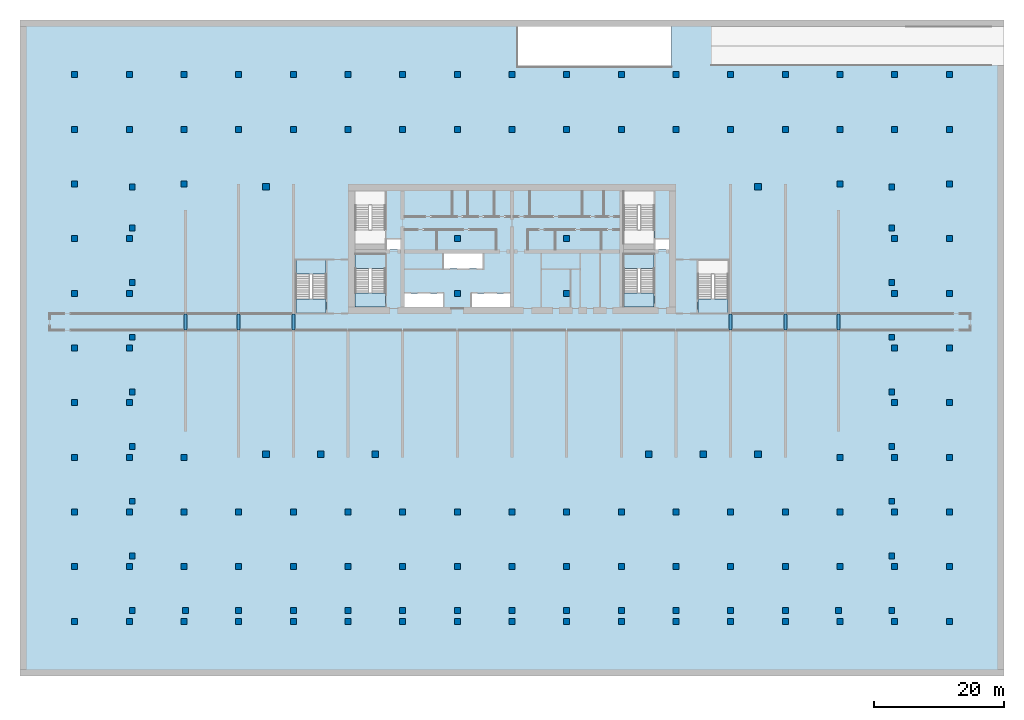
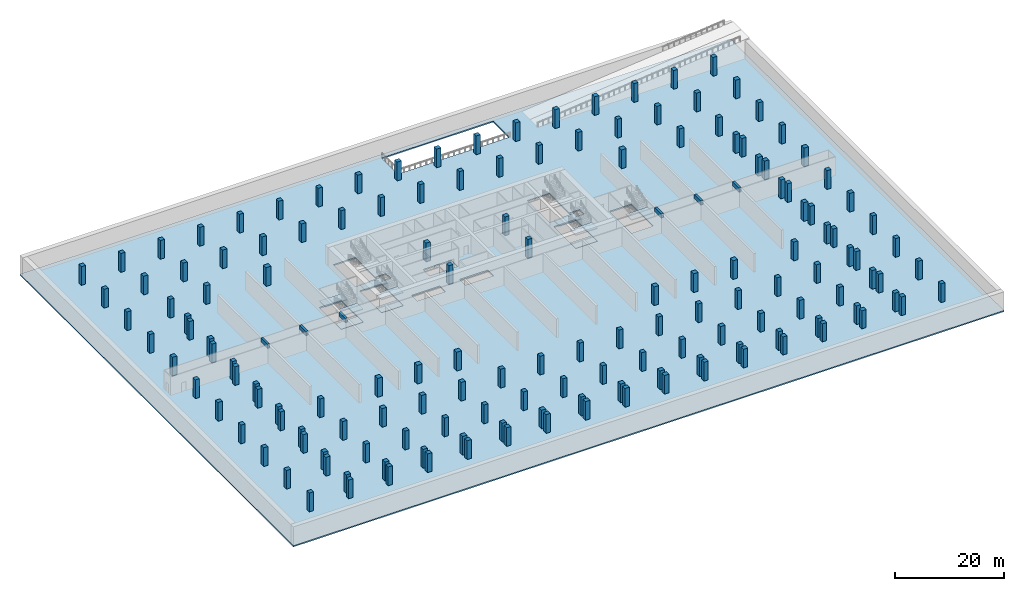
# One storey, part 1 of 12: 154 columns, 11 slabs, 6 beams, 4 elements without a shape of their own.
"""IFC4 building model written with IfcOpenShell, lengths in metres."""

from ifc_helpers import new_model, si_unit, direction, frame, origin, origin_2d, place, context, subcontext, project, spatial, polyline, rectangle, outline, extrude, source, transform, mapped, material, layer, layer_set, material_profile, profile_set, type_object, element, aggregate, save


model = new_model("IFC4")

# Units and contexts
model_context = context("Model", 3, precision=1e-05, world=origin(), true_north=direction((0.0, 1.0)))
body_context = subcontext(model_context, "Body", "Model", "MODEL_VIEW")
ifc_project = project(units=[si_unit("LENGTHUNIT", "METRE"), si_unit("AREAUNIT", "SQUARE_METRE"), si_unit("VOLUMEUNIT", "CUBIC_METRE"), si_unit("PLANEANGLEUNIT", "RADIAN"), si_unit("MASSUNIT", "GRAM", prefix="KILO")], contexts=[model_context])

# Site, building, storey
site_placement = place(None, origin())
site = spatial("IfcSite", under=ifc_project, at=site_placement, CompositionType="ELEMENT")
building_placement = place(site_placement, origin())
building = spatial("IfcBuilding", under=site, at=building_placement, Name="Vanashikhar Sky Hotel", CompositionType="ELEMENT")
storey_placement = place(building_placement, frame((0.0, 0.0, -4.5)))
storey = spatial("IfcBuildingStorey", under=building, at=storey_placement, Name="B1", CompositionType="ELEMENT", Elevation=-4.5)

# Columns
ifc_material_1 = material(Name="Concrete M70", Category="concrete")
ifc_material_profile_1 = material_profile(ifc_material_1, rectangle(XDim=1.0, YDim=1.0, at=origin_2d()))
ifc_profile_set_1 = profile_set([ifc_material_profile_1], Name="RC 1000x1000 column Concrete M70")
column_type_1 = type_object("IfcColumnType", Name="RC 1000x1000 column Concrete M70", PredefinedType="COLUMN", material=ifc_profile_set_1)
shared_shape_1 = source(origin(), body_context, "Body", "SweptSolid", [
    extrude(rectangle(XDim=1.0, YDim=1.0, at=origin_2d()), origin(), (0.0, 0.0, 1.0), 4.219970703125),
])
for number, where, z_axis, x_axis, name in (
    (1, (12.60009765625, 0.449951171875, 0.0), (0.0, 0.0, 1.0), (1.0, 0.0, 0.0), "CL-B1-CF02"),
    (2, (21.0, 0.449951171875, 0.0), (0.0, 0.0, 1.0), (1.0, 0.0, 0.0), "CL-B1-CF03"),
    (3, (29.39990234375, 0.449951171875, 0.0), (0.0, 0.0, 1.0), (1.0, 0.0, 0.0), "CL-B1-CF04"),
    (4, (71.39990234375, 0.449951171875, 0.0), (0.0, 0.0, 1.0), (1.0, 0.0, 0.0), "CL-B1-CF09"),
    (5, (79.800048828125, 0.449951171875, 0.0), (0.0, 0.0, 1.0), (1.0, 0.0, 0.0), "CL-B1-CF10"),
    (6, (88.199951171875, 0.449951171875, 0.0), (0.0, 0.0, 1.0), (1.0, 0.0, 0.0), "CL-B1-CF11"),
    (7, (12.60009765625, 41.550048828125, 0.0), (0.0, 0.0, 1.0), (1.0, 0.0, 0.0), "CL-B1-CR02"),
    (8, (88.199951171875, 41.550048828125, 0.0), (0.0, 0.0, 1.0), (1.0, 0.0, 0.0), "CL-B1-CR11"),
):
    element("IfcColumn", number, at=place(storey_placement, frame(where, z_axis=z_axis, x_axis=x_axis)), inside=storey, type_object=column_type_1, Name=name, PredefinedType="COLUMN", context=body_context, shape_type="MappedRepresentation", body=[
        mapped(shared_shape_1, transform((0.0, 0.0, 0.0), scale=1.0)),
    ])
ifc_material_profile_2 = material_profile(ifc_material_1, rectangle(XDim=0.89990234375, YDim=0.89990234375, at=origin_2d()))
ifc_profile_set_2 = profile_set([ifc_material_profile_2], Name="RC 900x900 column Concrete M70")
column_type_2 = type_object("IfcColumnType", Name="RC 900x900 column Concrete M70", PredefinedType="COLUMN", material=ifc_profile_set_2)
shared_shape_2 = source(origin(), body_context, "Body", "SweptSolid", [
    extrude(rectangle(XDim=0.89990234375, YDim=0.89990234375, at=origin_2d()), origin(), (0.0, 0.0, 1.0), 4.219970703125),
])
for number, where, z_axis, x_axis, name in (
    (9, (-7.949951171875, -23.550048828125, 0.0), (0.0, 0.0, 1.0), (1.0, 0.0, 0.0), "CL-B1-CAW01"),
    (10, (108.75, -23.550048828125, 0.0), (0.0, 0.0, 1.0), (1.0, 0.0, 0.0), "CL-B1-CAE01"),
    (11, (-7.949951171875, -15.14990234375, 0.0), (0.0, 0.0, 1.0), (1.0, 0.0, 0.0), "CL-B1-CAW02"),
    (12, (108.75, -15.14990234375, 0.0), (0.0, 0.0, 1.0), (1.0, 0.0, 0.0), "CL-B1-CAE02"),
    (13, (-7.949951171875, -6.75, 0.0), (0.0, 0.0, 1.0), (1.0, 0.0, 0.0), "CL-B1-CAW03"),
    (14, (108.75, -6.75, 0.0), (0.0, 0.0, 1.0), (1.0, 0.0, 0.0), "CL-B1-CAE03"),
    (15, (-7.949951171875, 1.64990234375, 0.0), (0.0, 0.0, 1.0), (1.0, 0.0, 0.0), "CL-B1-CAW04"),
    (16, (108.75, 1.64990234375, 0.0), (0.0, 0.0, 1.0), (1.0, 0.0, 0.0), "CL-B1-CAE04"),
    (17, (-7.949951171875, 10.050048828125, 0.0), (0.0, 0.0, 1.0), (1.0, 0.0, 0.0), "CL-B1-CAW05"),
    (18, (108.75, 10.050048828125, 0.0), (0.0, 0.0, 1.0), (1.0, 0.0, 0.0), "CL-B1-CAE05"),
    (19, (-7.949951171875, 18.449951171875, 0.0), (0.0, 0.0, 1.0), (1.0, 0.0, 0.0), "CL-B1-CAW06"),
    (20, (108.75, 18.449951171875, 0.0), (0.0, 0.0, 1.0), (1.0, 0.0, 0.0), "CL-B1-CAE06"),
    (21, (-7.949951171875, 26.85009765625, 0.0), (0.0, 0.0, 1.0), (1.0, 0.0, 0.0), "CL-B1-CAW07"),
    (22, (108.75, 26.85009765625, 0.0), (0.0, 0.0, 1.0), (1.0, 0.0, 0.0), "CL-B1-CAE07"),
    (23, (-7.949951171875, 35.25, 0.0), (0.0, 0.0, 1.0), (1.0, 0.0, 0.0), "CL-B1-CAW08"),
    (24, (108.75, 35.25, 0.0), (0.0, 0.0, 1.0), (1.0, 0.0, 0.0), "CL-B1-CAE08"),
    (25, (-7.949951171875, 41.550048828125, 0.0), (0.0, 0.0, 1.0), (1.0, 0.0, 0.0), "CL-B1-CAW09"),
    (26, (108.75, 41.550048828125, 0.0), (0.0, 0.0, 1.0), (1.0, 0.0, 0.0), "CL-B1-CAE09"),
    (27, (0.22509765625, -23.550048828125, 0.0), (0.0, 0.0, 1.0), (1.0, 0.0, 0.0), "CL-B1-CAF01"),
    (28, (8.39990234375, -23.550048828125, 0.0), (0.0, 0.0, 1.0), (1.0, 0.0, 0.0), "CL-B1-CAF02"),
    (29, (16.800048828125, -23.550048828125, 0.0), (0.0, 0.0, 1.0), (1.0, 0.0, 0.0), "CL-B1-CAF03"),
    (30, (25.199951171875, -23.550048828125, 0.0), (0.0, 0.0, 1.0), (1.0, 0.0, 0.0), "CL-B1-CAF04"),
    (31, (33.60009765625, -23.550048828125, 0.0), (0.0, 0.0, 1.0), (1.0, 0.0, 0.0), "CL-B1-CAF05"),
    (32, (42.0, -23.550048828125, 0.0), (0.0, 0.0, 1.0), (1.0, 0.0, 0.0), "CL-B1-CAF06"),
    (33, (50.39990234375, -23.550048828125, 0.0), (0.0, 0.0, 1.0), (1.0, 0.0, 0.0), "CL-B1-CAF07"),
    (34, (58.800048828125, -23.550048828125, 0.0), (0.0, 0.0, 1.0), (1.0, 0.0, 0.0), "CL-B1-CAF08"),
    (35, (67.199951171875, -23.550048828125, 0.0), (0.0, 0.0, 1.0), (1.0, 0.0, 0.0), "CL-B1-CAF09"),
    (36, (75.60009765625, -23.550048828125, 0.0), (0.0, 0.0, 1.0), (1.0, 0.0, 0.0), "CL-B1-CAF10"),
    (37, (84.0, -23.550048828125, 0.0), (0.0, 0.0, 1.0), (1.0, 0.0, 0.0), "CL-B1-CAF11"),
    (38, (92.39990234375, -23.550048828125, 0.0), (0.0, 0.0, 1.0), (1.0, 0.0, 0.0), "CL-B1-CAF12"),
    (39, (100.574951171875, -23.550048828125, 0.0), (0.0, 0.0, 1.0), (1.0, 0.0, 0.0), "CL-B1-CAF13"),
    (40, (-16.800048828125, -25.199951171875, 0.0), (0.0, 0.0, 1.0), (1.0, 0.0, 0.0), "CL-B1-G001"),
    (41, (-16.800048828125, -16.800048828125, 0.0), (0.0, 0.0, 1.0), (1.0, 0.0, 0.0), "CL-B1-G002"),
    (42, (-16.800048828125, -8.39990234375, 0.0), (0.0, 0.0, 1.0), (1.0, 0.0, 0.0), "CL-B1-G003"),
    (43, (-16.800048828125, 0.0, 0.0), (0.0, 0.0, 1.0), (1.0, 0.0, 0.0), "CL-B1-G004"),
    (44, (-16.800048828125, 8.39990234375, 0.0), (0.0, 0.0, 1.0), (1.0, 0.0, 0.0), "CL-B1-G005"),
    (45, (-16.800048828125, 16.800048828125, 0.0), (0.0, 0.0, 1.0), (1.0, 0.0, 0.0), "CL-B1-G006"),
    (46, (-16.800048828125, 25.199951171875, 0.0), (0.0, 0.0, 1.0), (1.0, 0.0, 0.0), "CL-B1-G007"),
    (47, (-16.800048828125, 33.60009765625, 0.0), (0.0, 0.0, 1.0), (1.0, 0.0, 0.0), "CL-B1-G008"),
    (48, (-16.800048828125, 42.0, 0.0), (0.0, 0.0, 1.0), (1.0, 0.0, 0.0), "CL-B1-G009"),
    (49, (-16.800048828125, 50.39990234375, 0.0), (0.0, 0.0, 1.0), (1.0, 0.0, 0.0), "CL-B1-G010"),
    (50, (-16.800048828125, 58.800048828125, 0.0), (0.0, 0.0, 1.0), (1.0, 0.0, 0.0), "CL-B1-G011"),
    (51, (-8.39990234375, -25.199951171875, 0.0), (0.0, 0.0, 1.0), (1.0, 0.0, 0.0), "CL-B1-G012"),
    (52, (-8.39990234375, -16.800048828125, 0.0), (0.0, 0.0, 1.0), (1.0, 0.0, 0.0), "CL-B1-G013"),
    (53, (-8.39990234375, -8.39990234375, 0.0), (0.0, 0.0, 1.0), (1.0, 0.0, 0.0), "CL-B1-G014"),
    (54, (-8.39990234375, 0.0, 0.0), (0.0, 0.0, 1.0), (1.0, 0.0, 0.0), "CL-B1-G015"),
    (55, (-8.39990234375, 8.39990234375, 0.0), (0.0, 0.0, 1.0), (1.0, 0.0, 0.0), "CL-B1-G016"),
    (56, (-8.39990234375, 16.800048828125, 0.0), (0.0, 0.0, 1.0), (1.0, 0.0, 0.0), "CL-B1-G017"),
    (57, (-8.39990234375, 25.199951171875, 0.0), (0.0, 0.0, 1.0), (1.0, 0.0, 0.0), "CL-B1-G018"),
    (58, (-8.39990234375, 33.60009765625, 0.0), (0.0, 0.0, 1.0), (1.0, 0.0, 0.0), "CL-B1-G019"),
    (59, (-8.39990234375, 50.39990234375, 0.0), (0.0, 0.0, 1.0), (1.0, 0.0, 0.0), "CL-B1-G020"),
    (60, (-8.39990234375, 58.800048828125, 0.0), (0.0, 0.0, 1.0), (1.0, 0.0, 0.0), "CL-B1-G021"),
    (61, (0.0, -25.199951171875, 0.0), (0.0, 0.0, 1.0), (1.0, 0.0, 0.0), "CL-B1-G022"),
    (62, (0.0, -16.800048828125, 0.0), (0.0, 0.0, 1.0), (1.0, 0.0, 0.0), "CL-B1-G023"),
    (63, (0.0, -8.39990234375, 0.0), (0.0, 0.0, 1.0), (1.0, 0.0, 0.0), "CL-B1-G024"),
    (64, (0.0, 0.0, 0.0), (0.0, 0.0, 1.0), (1.0, 0.0, 0.0), "CL-B1-G025"),
    (65, (0.0, 42.0, 0.0), (0.0, 0.0, 1.0), (1.0, 0.0, 0.0), "CL-B1-G026"),
    (66, (0.0, 50.39990234375, 0.0), (0.0, 0.0, 1.0), (1.0, 0.0, 0.0), "CL-B1-G027"),
    (67, (0.0, 58.800048828125, 0.0), (0.0, 0.0, 1.0), (1.0, 0.0, 0.0), "CL-B1-G028"),
    (68, (8.39990234375, -25.199951171875, 0.0), (0.0, 0.0, 1.0), (1.0, 0.0, 0.0), "CL-B1-G029"),
    (69, (8.39990234375, -16.800048828125, 0.0), (0.0, 0.0, 1.0), (1.0, 0.0, 0.0), "CL-B1-G030"),
    (70, (8.39990234375, -8.39990234375, 0.0), (0.0, 0.0, 1.0), (1.0, 0.0, 0.0), "CL-B1-G031"),
    (71, (8.39990234375, 50.39990234375, 0.0), (0.0, 0.0, 1.0), (1.0, 0.0, 0.0), "CL-B1-G032"),
    (72, (8.39990234375, 58.800048828125, 0.0), (0.0, 0.0, 1.0), (1.0, 0.0, 0.0), "CL-B1-G033"),
    (73, (16.800048828125, -25.199951171875, 0.0), (0.0, 0.0, 1.0), (1.0, 0.0, 0.0), "CL-B1-G034"),
    (74, (16.800048828125, -16.800048828125, 0.0), (0.0, 0.0, 1.0), (1.0, 0.0, 0.0), "CL-B1-G035"),
    (75, (16.800048828125, -8.39990234375, 0.0), (0.0, 0.0, 1.0), (1.0, 0.0, 0.0), "CL-B1-G036"),
    (76, (16.800048828125, 50.39990234375, 0.0), (0.0, 0.0, 1.0), (1.0, 0.0, 0.0), "CL-B1-G037"),
    (77, (16.800048828125, 58.800048828125, 0.0), (0.0, 0.0, 1.0), (1.0, 0.0, 0.0), "CL-B1-G038"),
    (78, (25.199951171875, -25.199951171875, 0.0), (0.0, 0.0, 1.0), (1.0, 0.0, 0.0), "CL-B1-G039"),
    (79, (25.199951171875, -16.800048828125, 0.0), (0.0, 0.0, 1.0), (1.0, 0.0, 0.0), "CL-B1-G040"),
    (80, (25.199951171875, -8.39990234375, 0.0), (0.0, 0.0, 1.0), (1.0, 0.0, 0.0), "CL-B1-G041"),
    (81, (25.199951171875, 50.39990234375, 0.0), (0.0, 0.0, 1.0), (1.0, 0.0, 0.0), "CL-B1-G042"),
    (82, (25.199951171875, 58.800048828125, 0.0), (0.0, 0.0, 1.0), (1.0, 0.0, 0.0), "CL-B1-G043"),
    (83, (33.60009765625, -25.199951171875, 0.0), (0.0, 0.0, 1.0), (1.0, 0.0, 0.0), "CL-B1-G044"),
    (84, (33.60009765625, -16.800048828125, 0.0), (0.0, 0.0, 1.0), (1.0, 0.0, 0.0), "CL-B1-G045"),
    (85, (33.60009765625, -8.39990234375, 0.0), (0.0, 0.0, 1.0), (1.0, 0.0, 0.0), "CL-B1-G046"),
    (86, (33.60009765625, 50.39990234375, 0.0), (0.0, 0.0, 1.0), (1.0, 0.0, 0.0), "CL-B1-G047"),
    (87, (33.60009765625, 58.800048828125, 0.0), (0.0, 0.0, 1.0), (1.0, 0.0, 0.0), "CL-B1-G048"),
    (88, (42.0, -25.199951171875, 0.0), (0.0, 0.0, 1.0), (1.0, 0.0, 0.0), "CL-B1-G049"),
    (89, (42.0, -16.800048828125, 0.0), (0.0, 0.0, 1.0), (1.0, 0.0, 0.0), "CL-B1-G050"),
    (90, (42.0, -8.39990234375, 0.0), (0.0, 0.0, 1.0), (1.0, 0.0, 0.0), "CL-B1-G051"),
    (91, (42.0, 25.199951171875, 0.0), (0.0, 0.0, 1.0), (1.0, 0.0, 0.0), "CL-B1-G052"),
    (92, (42.0, 33.60009765625, 0.0), (0.0, 0.0, 1.0), (1.0, 0.0, 0.0), "CL-B1-G053"),
    (93, (42.0, 50.39990234375, 0.0), (0.0, 0.0, 1.0), (1.0, 0.0, 0.0), "CL-B1-G054"),
    (94, (42.0, 58.800048828125, 0.0), (0.0, 0.0, 1.0), (1.0, 0.0, 0.0), "CL-B1-G055"),
    (95, (50.39990234375, -25.199951171875, 0.0), (0.0, 0.0, 1.0), (1.0, 0.0, 0.0), "CL-B1-G056"),
    (96, (50.39990234375, -16.800048828125, 0.0), (0.0, 0.0, 1.0), (1.0, 0.0, 0.0), "CL-B1-G057"),
    (97, (50.39990234375, -8.39990234375, 0.0), (0.0, 0.0, 1.0), (1.0, 0.0, 0.0), "CL-B1-G058"),
    (98, (50.39990234375, 50.39990234375, 0.0), (0.0, 0.0, 1.0), (1.0, 0.0, 0.0), "CL-B1-G059"),
    (99, (50.39990234375, 58.800048828125, 0.0), (0.0, 0.0, 1.0), (1.0, 0.0, 0.0), "CL-B1-G060"),
    (100, (58.800048828125, -25.199951171875, 0.0), (0.0, 0.0, 1.0), (1.0, 0.0, 0.0), "CL-B1-G061"),
    (101, (58.800048828125, -16.800048828125, 0.0), (0.0, 0.0, 1.0), (1.0, 0.0, 0.0), "CL-B1-G062"),
    (102, (58.800048828125, -8.39990234375, 0.0), (0.0, 0.0, 1.0), (1.0, 0.0, 0.0), "CL-B1-G063"),
    (103, (58.800048828125, 25.199951171875, 0.0), (0.0, 0.0, 1.0), (1.0, 0.0, 0.0), "CL-B1-G064"),
    (104, (58.800048828125, 33.60009765625, 0.0), (0.0, 0.0, 1.0), (1.0, 0.0, 0.0), "CL-B1-G065"),
    (105, (58.800048828125, 50.39990234375, 0.0), (0.0, 0.0, 1.0), (1.0, 0.0, 0.0), "CL-B1-G066"),
    (106, (58.800048828125, 58.800048828125, 0.0), (0.0, 0.0, 1.0), (1.0, 0.0, 0.0), "CL-B1-G067"),
    (107, (67.199951171875, -25.199951171875, 0.0), (0.0, 0.0, 1.0), (1.0, 0.0, 0.0), "CL-B1-G068"),
    (108, (67.199951171875, -16.800048828125, 0.0), (0.0, 0.0, 1.0), (1.0, 0.0, 0.0), "CL-B1-G069"),
    (109, (67.199951171875, -8.39990234375, 0.0), (0.0, 0.0, 1.0), (1.0, 0.0, 0.0), "CL-B1-G070"),
    (110, (67.199951171875, 50.39990234375, 0.0), (0.0, 0.0, 1.0), (1.0, 0.0, 0.0), "CL-B1-G071"),
    (111, (67.199951171875, 58.800048828125, 0.0), (0.0, 0.0, 1.0), (1.0, 0.0, 0.0), "CL-B1-G072"),
    (112, (75.60009765625, -25.199951171875, 0.0), (0.0, 0.0, 1.0), (1.0, 0.0, 0.0), "CL-B1-G073"),
    (113, (75.60009765625, -16.800048828125, 0.0), (0.0, 0.0, 1.0), (1.0, 0.0, 0.0), "CL-B1-G074"),
    (114, (75.60009765625, -8.39990234375, 0.0), (0.0, 0.0, 1.0), (1.0, 0.0, 0.0), "CL-B1-G075"),
    (115, (75.60009765625, 50.39990234375, 0.0), (0.0, 0.0, 1.0), (1.0, 0.0, 0.0), "CL-B1-G076"),
    (116, (75.60009765625, 58.800048828125, 0.0), (0.0, 0.0, 1.0), (1.0, 0.0, 0.0), "CL-B1-G077"),
    (117, (84.0, -16.800048828125, 0.0), (0.0, 0.0, 1.0), (1.0, 0.0, 0.0), "CL-B1-G079"),
    (118, (84.0, -8.39990234375, 0.0), (0.0, 0.0, 1.0), (1.0, 0.0, 0.0), "CL-B1-G080"),
    (119, (84.0, 50.39990234375, 0.0), (0.0, 0.0, 1.0), (1.0, 0.0, 0.0), "CL-B1-G081"),
    (120, (84.0, 58.800048828125, 0.0), (0.0, 0.0, 1.0), (1.0, 0.0, 0.0), "CL-B1-G082"),
    (121, (92.39990234375, -16.800048828125, 0.0), (0.0, 0.0, 1.0), (1.0, 0.0, 0.0), "CL-B1-G084"),
    (122, (92.39990234375, -8.39990234375, 0.0), (0.0, 0.0, 1.0), (1.0, 0.0, 0.0), "CL-B1-G085"),
    (123, (92.39990234375, 50.39990234375, 0.0), (0.0, 0.0, 1.0), (1.0, 0.0, 0.0), "CL-B1-G086"),
    (124, (92.39990234375, 58.800048828125, 0.0), (0.0, 0.0, 1.0), (1.0, 0.0, 0.0), "CL-B1-G087"),
    (125, (100.800048828125, -16.800048828125, 0.0), (0.0, 0.0, 1.0), (1.0, 0.0, 0.0), "CL-B1-G089"),
    (126, (100.800048828125, -8.39990234375, 0.0), (0.0, 0.0, 1.0), (1.0, 0.0, 0.0), "CL-B1-G090"),
    (127, (100.800048828125, 0.0, 0.0), (0.0, 0.0, 1.0), (1.0, 0.0, 0.0), "CL-B1-G091"),
    (128, (100.800048828125, 42.0, 0.0), (0.0, 0.0, 1.0), (1.0, 0.0, 0.0), "CL-B1-G092"),
    (129, (100.800048828125, 50.39990234375, 0.0), (0.0, 0.0, 1.0), (1.0, 0.0, 0.0), "CL-B1-G093"),
    (130, (100.800048828125, 58.800048828125, 0.0), (0.0, 0.0, 1.0), (1.0, 0.0, 0.0), "CL-B1-G094"),
    (131, (109.199951171875, -25.199951171875, 0.0), (0.0, 0.0, 1.0), (1.0, 0.0, 0.0), "CL-B1-G095"),
    (132, (109.199951171875, -16.800048828125, 0.0), (0.0, 0.0, 1.0), (1.0, 0.0, 0.0), "CL-B1-G096"),
    (133, (109.199951171875, -8.39990234375, 0.0), (0.0, 0.0, 1.0), (1.0, 0.0, 0.0), "CL-B1-G097"),
    (134, (109.199951171875, 0.0, 0.0), (0.0, 0.0, 1.0), (1.0, 0.0, 0.0), "CL-B1-G098"),
    (135, (109.199951171875, 8.39990234375, 0.0), (0.0, 0.0, 1.0), (1.0, 0.0, 0.0), "CL-B1-G099"),
    (136, (109.199951171875, 16.800048828125, 0.0), (0.0, 0.0, 1.0), (1.0, 0.0, 0.0), "CL-B1-G100"),
    (137, (109.199951171875, 25.199951171875, 0.0), (0.0, 0.0, 1.0), (1.0, 0.0, 0.0), "CL-B1-G101"),
    (138, (109.199951171875, 33.60009765625, 0.0), (0.0, 0.0, 1.0), (1.0, 0.0, 0.0), "CL-B1-G102"),
    (139, (109.199951171875, 50.39990234375, 0.0), (0.0, 0.0, 1.0), (1.0, 0.0, 0.0), "CL-B1-G103"),
    (140, (109.199951171875, 58.800048828125, 0.0), (0.0, 0.0, 1.0), (1.0, 0.0, 0.0), "CL-B1-G104"),
    (141, (117.60009765625, -25.199951171875, 0.0), (0.0, 0.0, 1.0), (1.0, 0.0, 0.0), "CL-B1-G105"),
    (142, (117.60009765625, -16.800048828125, 0.0), (0.0, 0.0, 1.0), (1.0, 0.0, 0.0), "CL-B1-G106"),
    (143, (117.60009765625, -8.39990234375, 0.0), (0.0, 0.0, 1.0), (1.0, 0.0, 0.0), "CL-B1-G107"),
    (144, (117.60009765625, 0.0, 0.0), (0.0, 0.0, 1.0), (1.0, 0.0, 0.0), "CL-B1-G108"),
    (145, (117.60009765625, 8.39990234375, 0.0), (0.0, 0.0, 1.0), (1.0, 0.0, 0.0), "CL-B1-G109"),
    (146, (117.60009765625, 16.800048828125, 0.0), (0.0, 0.0, 1.0), (1.0, 0.0, 0.0), "CL-B1-G110"),
    (147, (117.60009765625, 25.199951171875, 0.0), (0.0, 0.0, 1.0), (1.0, 0.0, 0.0), "CL-B1-G111"),
    (148, (117.60009765625, 33.60009765625, 0.0), (0.0, 0.0, 1.0), (1.0, 0.0, 0.0), "CL-B1-G112"),
    (149, (117.60009765625, 42.0, 0.0), (0.0, 0.0, 1.0), (1.0, 0.0, 0.0), "CL-B1-G113"),
    (150, (117.60009765625, 50.39990234375, 0.0), (0.0, 0.0, 1.0), (1.0, 0.0, 0.0), "CL-B1-G114"),
    (151, (117.60009765625, 58.800048828125, 0.0), (0.0, 0.0, 1.0), (1.0, 0.0, 0.0), "CL-B1-G115"),
):
    element("IfcColumn", number, at=place(storey_placement, frame(where, z_axis=z_axis, x_axis=x_axis)), inside=storey, type_object=column_type_2, Name=name, PredefinedType="COLUMN", context=body_context, shape_type="MappedRepresentation", body=[
        mapped(shared_shape_2, transform((0.0, 0.0, 0.0), scale=1.0)),
    ])
shared_shape_3 = source(origin(), body_context, "Body", "SweptSolid", [
    extrude(rectangle(XDim=0.89990234375, YDim=0.89990234375, at=origin_2d()), origin(), (0.0, 0.0, 1.0), 4.050048828125),
])
for number, where, z_axis, x_axis, name in (
    (152, (84.0, -25.199951171875, 0.0), (0.0, 0.0, 1.0), (1.0, 0.0, 0.0), "CL-B1-G078"),
    (153, (92.39990234375, -25.199951171875, 0.0), (0.0, 0.0, 1.0), (1.0, 0.0, 0.0), "CL-B1-G083"),
    (154, (100.800048828125, -25.199951171875, 0.0), (0.0, 0.0, 1.0), (1.0, 0.0, 0.0), "CL-B1-G088"),
):
    element("IfcColumn", number, at=place(storey_placement, frame(where, z_axis=z_axis, x_axis=x_axis)), inside=storey, type_object=column_type_2, Name=name, PredefinedType="COLUMN", context=body_context, shape_type="MappedRepresentation", body=[
        mapped(shared_shape_3, transform((0.0, 0.0, 0.0), scale=1.0)),
    ])

# Beams
ifc_material_2 = material(Name="Concrete M50", Category="concrete")
ifc_material_profile_3 = material_profile(ifc_material_2, rectangle(XDim=0.449951171875, YDim=0.89990234375, at=origin_2d()))
ifc_profile_set_3 = profile_set([ifc_material_profile_3], Name="RC 450x900 beam Concrete M50")
beam_type = type_object("IfcBeamType", Name="RC 450x900 beam Concrete M50", PredefinedType="LINTEL", material=ifc_profile_set_3)
shared_shape_4 = source(origin(), body_context, "Body", "SweptSolid", [
    extrude(rectangle(XDim=0.449951171875, YDim=0.89990234375, at=origin_2d()), origin(), (0.0, 0.0, 1.0), 2.39990234375),
])
for number, where, z_axis, x_axis, name in (
    (155, (0.22509765625, 19.60009765625, 3.77001953125), (0.0, 1.0, 0.0), (-1.0, 0.0, 0.0), "LB-B1-XW01"),
    (156, (8.39990234375, 19.60009765625, 3.77001953125), (0.0, 1.0, 0.0), (-1.0, 0.0, 0.0), "LB-B1-XW02"),
    (157, (16.800048828125, 19.60009765625, 3.77001953125), (0.0, 1.0, 0.0), (-1.0, 0.0, 0.0), "LB-B1-XW03"),
    (158, (84.0, 19.60009765625, 3.77001953125), (0.0, 1.0, 0.0), (-1.0, 0.0, 0.0), "LB-B1-XW11"),
    (159, (92.39990234375, 19.60009765625, 3.77001953125), (0.0, 1.0, 0.0), (-1.0, 0.0, 0.0), "LB-B1-XW12"),
    (160, (100.574951171875, 19.60009765625, 3.77001953125), (0.0, 1.0, 0.0), (-1.0, 0.0, 0.0), "LB-B1-XW13"),
):
    element("IfcBeam", number, at=place(storey_placement, frame(where, z_axis=z_axis, x_axis=x_axis)), inside=storey, type_object=beam_type, Name=name, PredefinedType="LINTEL", context=body_context, shape_type="MappedRepresentation", body=[
        mapped(shared_shape_4, transform((0.0, 0.0, 0.0), scale=1.0)),
    ])

# Slab
ifc_material_3 = material(Name="Concrete M40", Category="concrete")
ifc_layer_1 = layer(ifc_material_3, 0.280029296875)
ifc_layer_set_1 = layer_set([ifc_layer_1], Name="Floor slab 280 mm")
slab_type_1 = type_object("IfcSlabType", Name="Floor slab 280 mm", PredefinedType="FLOOR", material=ifc_layer_set_1)
shared_shape_5 = source(origin(), body_context, "Body", "SweptSolid", [
    extrude(outline(polyline([(-25.199951171875, -33.60009765625), (126.0, -33.60009765625), (126.0, 67.199951171875), (-25.199951171875, 67.199951171875), (-25.199951171875, -33.60009765625)]), holes=[polyline([(31.050048828125, 33.60009765625), (31.050048828125, 31.89990234375), (33.300048828125, 31.89990234375), (33.300048828125, 33.60009765625), (31.050048828125, 33.60009765625)]), polyline([(33.89990234375, 25.199951171875), (33.89990234375, 23.10009765625), (39.89990234375, 23.10009765625), (39.89990234375, 25.199951171875), (33.89990234375, 25.199951171875)]), polyline([(39.89990234375, 31.300048828125), (39.89990234375, 29.0), (45.89990234375, 29.0), (45.89990234375, 31.300048828125), (39.89990234375, 31.300048828125)]), polyline([(44.10009765625, 25.199951171875), (44.10009765625, 23.10009765625), (50.10009765625, 23.10009765625), (50.10009765625, 25.199951171875), (44.10009765625, 25.199951171875)]), polyline([(72.35009765625, 33.60009765625), (72.35009765625, 31.89990234375), (74.5, 31.89990234375), (74.5, 33.60009765625), (72.35009765625, 33.60009765625)]), polyline([(30.949951171875, 23.10009765625), (30.949951171875, 31.199951171875), (26.300048828125, 31.199951171875), (26.300048828125, 23.10009765625), (30.949951171875, 23.10009765625)]), polyline([(72.25, 23.10009765625), (72.25, 31.199951171875), (67.60009765625, 31.199951171875), (67.60009765625, 23.10009765625), (72.25, 23.10009765625)]), polyline([(30.949951171875, 32.800048828125), (30.949951171875, 40.89990234375), (26.300048828125, 40.89990234375), (26.300048828125, 32.800048828125), (30.949951171875, 32.800048828125)]), polyline([(72.25, 32.800048828125), (72.25, 40.89990234375), (67.60009765625, 40.89990234375), (67.60009765625, 32.800048828125), (72.25, 32.800048828125)]), polyline([(83.60009765625, 22.199951171875), (83.60009765625, 30.300048828125), (78.949951171875, 30.300048828125), (78.949951171875, 22.199951171875), (83.60009765625, 22.199951171875)]), polyline([(21.85009765625, 22.199951171875), (21.85009765625, 30.300048828125), (17.199951171875, 30.300048828125), (17.199951171875, 22.199951171875), (21.85009765625, 22.199951171875)]), polyline([(51.199951171875, 60.199951171875), (74.89990234375, 60.199951171875), (74.89990234375, 66.199951171875), (51.199951171875, 66.199951171875), (51.199951171875, 60.199951171875)])]), origin(), (0.0, 0.0, 1.0), 0.280029296875),
])
slab_1_placement = place(storey_placement, frame((0.0, 0.0, -0.280029296875)))
element("IfcSlab", 161, at=slab_1_placement, inside=storey, type_object=slab_type_1, Name="Floor slab B1", PredefinedType="FLOOR", context=body_context, shape_type="MappedRepresentation", body=[
    mapped(shared_shape_5, transform((0.0, 0.0, 0.0), scale=1.0)),
])

# Stair, slabs
stair_type = type_object("IfcStairType", Name="Exit stair 2150", PredefinedType="DOUBLE_RETURN_STAIR", material=ifc_material_3)
stair_1_placement = place(storey_placement, origin())
stair_1 = element("IfcStair", 162, at=stair_1_placement, inside=storey, type_object=stair_type, Name="B1 Exit stair 1", PredefinedType="DOUBLE_RETURN_STAIR")
ifc_layer_2 = layer(ifc_material_3, 0.199951171875)
ifc_layer_set_2 = layer_set([ifc_layer_2], Name="Stair landing 200")
slab_type_2 = type_object("IfcSlabType", Name="Stair landing 200", PredefinedType="LANDING", material=ifc_layer_set_2)
shared_shape_6 = source(origin(), body_context, "Body", "SweptSolid", [
    extrude(outline(polyline([(30.949951171875, 29.050048828125), (30.949951171875, 31.199951171875), (26.300048828125, 31.199951171875), (26.300048828125, 29.050048828125), (30.949951171875, 29.050048828125)])), origin(), (0.0, 0.0, 1.0), 0.199951171875),
])
slab_2_placement = place(storey_placement, frame((0.0, 0.0, 1.300048828125)))
slab_2 = element("IfcSlab", 163, at=slab_2_placement, type_object=slab_type_2, Name="ST-C1 landing 1", PredefinedType="LANDING", context=body_context, shape_type="MappedRepresentation", body=[
    mapped(shared_shape_6, transform((0.0, 0.0, 0.0), scale=1.0)),
])
shared_shape_7 = source(origin(), body_context, "Body", "SweptSolid", [
    extrude(outline(polyline([(30.949951171875, 23.10009765625), (30.949951171875, 25.25), (26.300048828125, 25.25), (26.300048828125, 23.10009765625), (30.949951171875, 23.10009765625)])), origin(), (0.0, 0.0, 1.0), 0.199951171875),
])
slab_3_placement = place(storey_placement, frame((0.0, 0.0, 2.800048828125)))
slab_3 = element("IfcSlab", 164, at=slab_3_placement, type_object=slab_type_2, Name="ST-C1 landing 2", PredefinedType="LANDING", context=body_context, shape_type="MappedRepresentation", body=[
    mapped(shared_shape_7, transform((0.0, 0.0, 0.0), scale=1.0)),
])
aggregate(stair_1, [slab_2, slab_3])

# Slab
ifc_layer_3 = layer(ifc_material_3, 0.280029296875)
ifc_layer_set_3 = layer_set([ifc_layer_3], Name="Stair floor landing 280")
slab_type_3 = type_object("IfcSlabType", Name="Stair floor landing 280", PredefinedType="LANDING", material=ifc_layer_set_3)
shared_shape_8 = source(origin(), body_context, "Body", "SweptSolid", [
    extrude(outline(polyline([(30.949951171875, 23.10009765625), (30.949951171875, 25.25), (26.300048828125, 25.25), (26.300048828125, 23.10009765625), (30.949951171875, 23.10009765625)])), origin(), (0.0, 0.0, 1.0), 0.280029296875),
])
slab_4_placement = place(storey_placement, frame((0.0, 0.0, -0.280029296875)))
element("IfcSlab", 165, at=slab_4_placement, inside=storey, type_object=slab_type_3, Name="Exit stair 1 floor landing", PredefinedType="LANDING", context=body_context, shape_type="MappedRepresentation", body=[
    mapped(shared_shape_8, transform((0.0, 0.0, 0.0), scale=1.0)),
])

# Stair, slabs
stair_2_placement = place(storey_placement, origin())
stair_2 = element("IfcStair", 166, at=stair_2_placement, inside=storey, type_object=stair_type, Name="B1 Exit stair 2", PredefinedType="DOUBLE_RETURN_STAIR")
shared_shape_9 = source(origin(), body_context, "Body", "SweptSolid", [
    extrude(outline(polyline([(72.25, 29.050048828125), (72.25, 31.199951171875), (67.60009765625, 31.199951171875), (67.60009765625, 29.050048828125), (72.25, 29.050048828125)])), origin(), (0.0, 0.0, 1.0), 0.199951171875),
])
slab_5_placement = place(storey_placement, frame((0.0, 0.0, 1.300048828125)))
slab_5 = element("IfcSlab", 167, at=slab_5_placement, type_object=slab_type_2, Name="ST-C2 landing 1", PredefinedType="LANDING", context=body_context, shape_type="MappedRepresentation", body=[
    mapped(shared_shape_9, transform((0.0, 0.0, 0.0), scale=1.0)),
])
shared_shape_10 = source(origin(), body_context, "Body", "SweptSolid", [
    extrude(outline(polyline([(72.25, 23.10009765625), (72.25, 25.25), (67.60009765625, 25.25), (67.60009765625, 23.10009765625), (72.25, 23.10009765625)])), origin(), (0.0, 0.0, 1.0), 0.199951171875),
])
slab_6_placement = place(storey_placement, frame((0.0, 0.0, 2.800048828125)))
slab_6 = element("IfcSlab", 168, at=slab_6_placement, type_object=slab_type_2, Name="ST-C2 landing 2", PredefinedType="LANDING", context=body_context, shape_type="MappedRepresentation", body=[
    mapped(shared_shape_10, transform((0.0, 0.0, 0.0), scale=1.0)),
])
aggregate(stair_2, [slab_5, slab_6])

# Slab
shared_shape_11 = source(origin(), body_context, "Body", "SweptSolid", [
    extrude(outline(polyline([(72.25, 23.10009765625), (72.25, 25.25), (67.60009765625, 25.25), (67.60009765625, 23.10009765625), (72.25, 23.10009765625)])), origin(), (0.0, 0.0, 1.0), 0.280029296875),
])
slab_7_placement = place(storey_placement, frame((0.0, 0.0, -0.280029296875)))
element("IfcSlab", 169, at=slab_7_placement, inside=storey, type_object=slab_type_3, Name="Exit stair 2 floor landing", PredefinedType="LANDING", context=body_context, shape_type="MappedRepresentation", body=[
    mapped(shared_shape_11, transform((0.0, 0.0, 0.0), scale=1.0)),
])

# Stair, slabs
stair_3_placement = place(storey_placement, origin())
stair_3 = element("IfcStair", 170, at=stair_3_placement, inside=storey, type_object=stair_type, Name="B1 Exit stair 3", PredefinedType="DOUBLE_RETURN_STAIR")
shared_shape_12 = source(origin(), body_context, "Body", "SweptSolid", [
    extrude(outline(polyline([(21.85009765625, 28.14990234375), (21.85009765625, 30.300048828125), (17.199951171875, 30.300048828125), (17.199951171875, 28.14990234375), (21.85009765625, 28.14990234375)])), origin(), (0.0, 0.0, 1.0), 0.199951171875),
])
slab_8_placement = place(storey_placement, frame((0.0, 0.0, 1.300048828125)))
slab_8 = element("IfcSlab", 171, at=slab_8_placement, type_object=slab_type_2, Name="ST-W landing 1", PredefinedType="LANDING", context=body_context, shape_type="MappedRepresentation", body=[
    mapped(shared_shape_12, transform((0.0, 0.0, 0.0), scale=1.0)),
])
shared_shape_13 = source(origin(), body_context, "Body", "SweptSolid", [
    extrude(outline(polyline([(21.85009765625, 22.199951171875), (21.85009765625, 24.35009765625), (17.199951171875, 24.35009765625), (17.199951171875, 22.199951171875), (21.85009765625, 22.199951171875)])), origin(), (0.0, 0.0, 1.0), 0.199951171875),
])
slab_9_placement = place(storey_placement, frame((0.0, 0.0, 2.800048828125)))
slab_9 = element("IfcSlab", 172, at=slab_9_placement, type_object=slab_type_2, Name="ST-W landing 2", PredefinedType="LANDING", context=body_context, shape_type="MappedRepresentation", body=[
    mapped(shared_shape_13, transform((0.0, 0.0, 0.0), scale=1.0)),
])
aggregate(stair_3, [slab_8, slab_9])

# Slab
shared_shape_14 = source(origin(), body_context, "Body", "SweptSolid", [
    extrude(outline(polyline([(21.85009765625, 22.199951171875), (21.85009765625, 24.35009765625), (17.199951171875, 24.35009765625), (17.199951171875, 22.199951171875), (21.85009765625, 22.199951171875)])), origin(), (0.0, 0.0, 1.0), 0.280029296875),
])
slab_10_placement = place(storey_placement, frame((0.0, 0.0, -0.280029296875)))
element("IfcSlab", 173, at=slab_10_placement, inside=storey, type_object=slab_type_3, Name="Exit stair 3 floor landing", PredefinedType="LANDING", context=body_context, shape_type="MappedRepresentation", body=[
    mapped(shared_shape_14, transform((0.0, 0.0, 0.0), scale=1.0)),
])

# Stair, slab
stair_4_placement = place(storey_placement, origin())
stair_4 = element("IfcStair", 174, at=stair_4_placement, inside=storey, type_object=stair_type, Name="B1 Exit stair 4", PredefinedType="DOUBLE_RETURN_STAIR")
shared_shape_15 = source(origin(), body_context, "Body", "SweptSolid", [
    extrude(outline(polyline([(83.60009765625, 22.199951171875), (83.60009765625, 24.35009765625), (78.949951171875, 24.35009765625), (78.949951171875, 22.199951171875), (83.60009765625, 22.199951171875)])), origin(), (0.0, 0.0, 1.0), 0.199951171875),
])
slab_11_placement = place(storey_placement, frame((0.0, 0.0, 2.800048828125)))
slab_11 = element("IfcSlab", 175, at=slab_11_placement, type_object=slab_type_2, Name="ST-E landing 2", PredefinedType="LANDING", context=body_context, shape_type="MappedRepresentation", body=[
    mapped(shared_shape_15, transform((0.0, 0.0, 0.0), scale=1.0)),
])
aggregate(stair_4, [slab_11])

save(model, "model.ifc")
